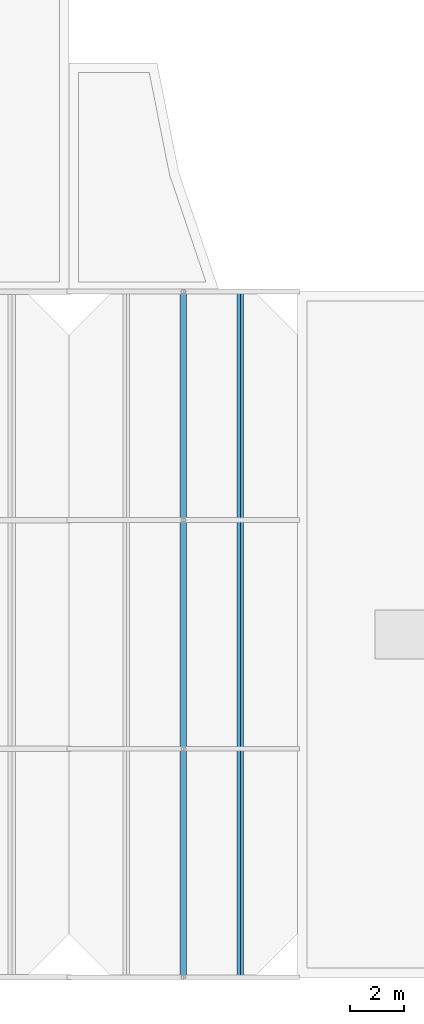
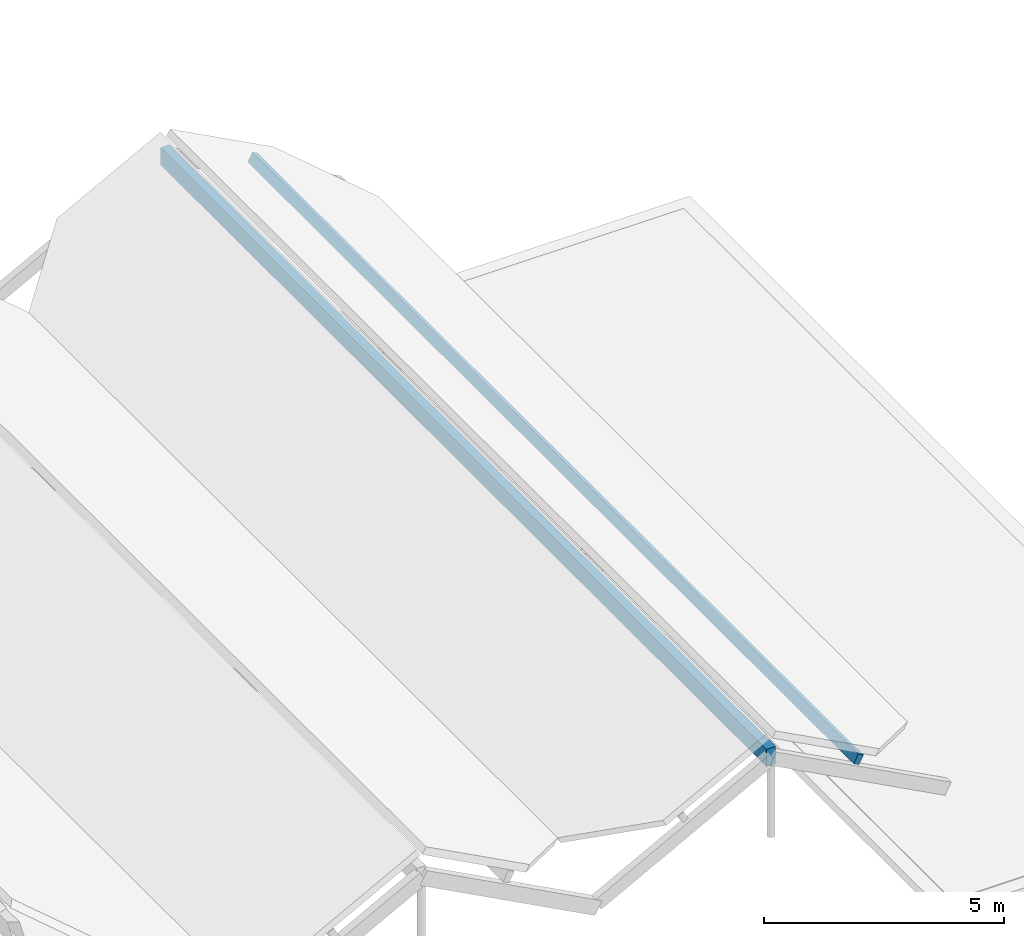
# One storey, part 31 of 82: 1 beam, 1 member.
"""IFC4 building model written with IfcOpenShell, lengths in metres."""

from ifc_helpers import new_model, si_unit, direction, frame, origin, origin_2d, place, context, subcontext, project, spatial, rectangle, extrude, material, material_profile, profile_set, type_object, element, save


model = new_model("IFC4")

# Units and contexts
model_context = context("Model", 3, precision=1e-05, world=origin(), true_north=direction((0.0, 1.0)))
body_context = subcontext(model_context, "Body", "Model", "MODEL_VIEW")
ifc_project = project(units=[si_unit("LENGTHUNIT", "METRE"), si_unit("AREAUNIT", "SQUARE_METRE"), si_unit("VOLUMEUNIT", "CUBIC_METRE"), si_unit("PLANEANGLEUNIT", "RADIAN"), si_unit("MASSUNIT", "GRAM", prefix="KILO")], contexts=[model_context])

# Site, building, storey
site_placement = place(None, origin())
site = spatial("IfcSite", under=ifc_project, at=site_placement, CompositionType="ELEMENT")
building_placement = place(site_placement, origin())
building = spatial("IfcBuilding", under=site, at=building_placement, Name="Bramfleet General Hospital", CompositionType="ELEMENT")
storey_placement = place(building_placement, frame((0.0, 0.0, 34.199951171875)))
storey = spatial("IfcBuildingStorey", under=building, at=storey_placement, Name="Roof", CompositionType="ELEMENT", Elevation=34.199951171875)

# Beam
ifc_material = material(Name="Structural timber GL28h", Category="wood")
ifc_material_profile_1 = material_profile(ifc_material, rectangle(XDim=0.219970703125, YDim=0.43994140625, at=origin_2d()), Name="GL28h 440x220")
ifc_profile_set_1 = profile_set([ifc_material_profile_1], Name="Structural timber GL28h")
beam_type = type_object("IfcBeamType", Name="BM-GL440", PredefinedType="BEAM", material=ifc_profile_set_1)
beam_placement = place(storey_placement, frame((130.199951171875, 0.0, 1.561279296875), z_axis=(0.0, 1.0, 0.0), x_axis=(-1.0, 0.0, 0.0)))
element("IfcBeam", 1, at=beam_placement, inside=storey, type_object=beam_type, Name="Patient House PH-08 Glulam Ridge Beam", PredefinedType="BEAM", context=body_context, shape_type="SweptSolid", body=[
    extrude(rectangle(XDim=0.219970703125, YDim=0.43994140625, at=origin_2d()), origin(), (0.0, 0.0, 1.0), 25.199951171875),
])

# Member
ifc_material_profile_2 = material_profile(ifc_material, rectangle(XDim=0.139892578125, YDim=0.239990234375, at=origin_2d()), Name="GL28h 240x140")
ifc_profile_set_2 = profile_set([ifc_material_profile_2], Name="Structural timber GL28h")
member_type = type_object("IfcMemberType", Name="MEM-PR-GL240", PredefinedType="PURLIN", material=ifc_profile_set_2)
member_placement = place(storey_placement, frame((132.300048828125, 0.0, 0.754638671875), z_axis=(0.0, 1.0, 0.0), x_axis=(-0.882947592859, 0.0, 0.469471562786)))
element("IfcMember", 2, at=member_placement, inside=storey, type_object=member_type, Name="Patient House PH-08 East Glulam Purlin", PredefinedType="PURLIN", context=body_context, shape_type="SweptSolid", body=[
    extrude(rectangle(XDim=0.139892578125, YDim=0.239990234375, at=origin_2d()), origin(), (0.0, 0.0, 1.0), 25.199951171875),
])

save(model, "model.ifc")
